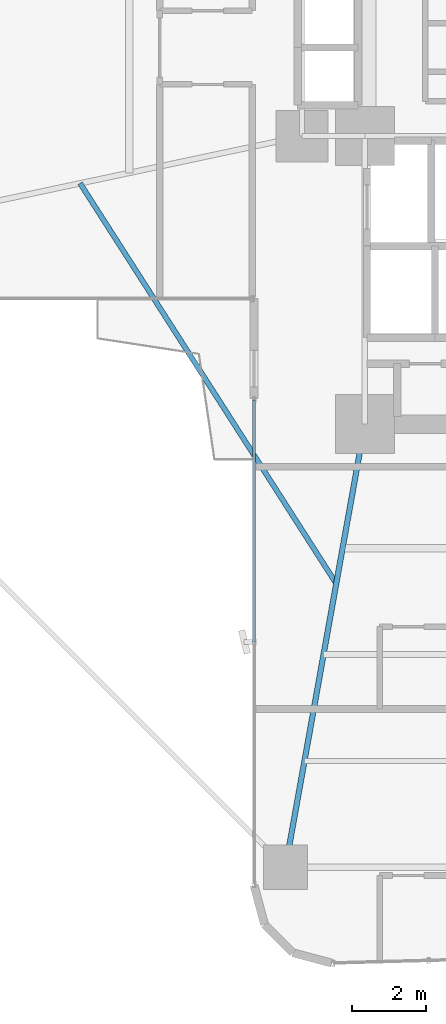
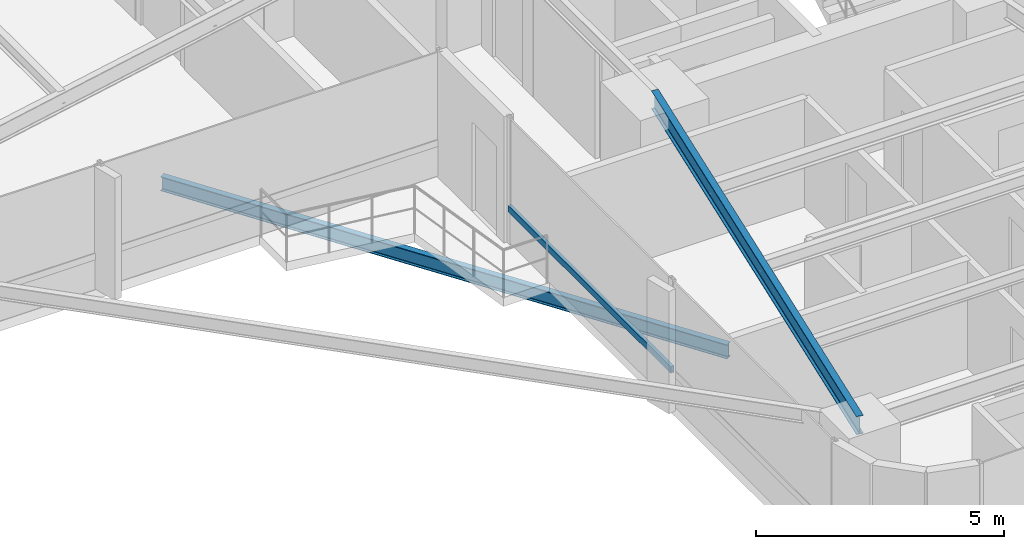
# One storey, part 3 of 25: 2 beams, 1 member, 1 element without a shape of its own.
"""IFC4 building model written with IfcOpenShell, lengths in metres."""

from ifc_helpers import new_model, si_unit, direction, frame, origin, origin_2d, place, context, subcontext, project, spatial, hollow_rectangle, i_section, extrude, source, transform, mapped, material, material_profile, profile_set, type_object, element, aggregate, save


model = new_model("IFC4")

# Units and contexts
model_context = context("Model", 3, precision=1e-05, world=origin(), true_north=direction((0.0, 1.0)))
body_context = subcontext(model_context, "Body", "Model", "MODEL_VIEW")
ifc_project = project(units=[si_unit("LENGTHUNIT", "METRE"), si_unit("AREAUNIT", "SQUARE_METRE"), si_unit("VOLUMEUNIT", "CUBIC_METRE"), si_unit("PLANEANGLEUNIT", "RADIAN"), si_unit("MASSUNIT", "GRAM", prefix="KILO")], contexts=[model_context])

# Site, building, storey
site_placement = place(None, origin())
site = spatial("IfcSite", under=ifc_project, at=site_placement, CompositionType="ELEMENT")
building_placement = place(site_placement, origin())
building = spatial("IfcBuilding", under=site, at=building_placement, Name="Sahyath Konkavel Grand Hotel", CompositionType="ELEMENT")
storey_placement = place(building_placement, frame((0.0, 0.0, 39.85009765625)))
storey = spatial("IfcBuildingStorey", under=building, at=storey_placement, Name="L10", CompositionType="ELEMENT", Elevation=39.85009765625)

# Beam
ifc_material_1 = material(Name="Steel E350", Category="steel")
ifc_material_profile_1 = material_profile(ifc_material_1, i_section(OverallWidth=0.14990234375, OverallDepth=0.449951171875, WebThickness=0.009521484375, FlangeThickness=0.017333984375, FilletRadius=0.014892578125, at=origin_2d()), Name="ISMB 450")
ifc_profile_set_1 = profile_set([ifc_material_profile_1], Name="Steel E350")
beam_type_1 = type_object("IfcBeamType", Name="BM-ISMB450", PredefinedType="BEAM", material=ifc_profile_set_1)
shared_shape_1 = source(origin(), body_context, "Body", "SweptSolid", [
    extrude(i_section(OverallWidth=0.14990234375, OverallDepth=0.449951171875, WebThickness=0.009521484375, FlangeThickness=0.017333984375, FilletRadius=0.014892578125, at=origin_2d()), origin(), (0.0, 0.0, 1.0), 12.191162109375),
])
beam_1_placement = place(storey_placement, frame((-3.800048828125, -10.199951171875, 2.885009765625), z_axis=(-0.176350650305, -0.984327409014, 0.0), x_axis=(0.984327409014, -0.176350650305, 0.0)))
element("IfcBeam", 1, at=beam_1_placement, inside=storey, type_object=beam_type_1, Name="L10 Cruciform Radial Girder SA", PredefinedType="BEAM", context=body_context, shape_type="MappedRepresentation", body=[
    mapped(shared_shape_1, transform((0.0, 0.0, 0.0), scale=1.0)),
])

# Curtain wall, member
ifc_material_2 = material(Name="Anodised Bronze Aluminium & Low-E Glazing", Category="aluminium")
curtain_wall_type = type_object("IfcCurtainWallType", Name="CW-ZONE1", PredefinedType="NOTDEFINED", material=ifc_material_2)
curtain_wall_placement = place(storey_placement, origin())
curtain_wall = element("IfcCurtainWall", 2, at=curtain_wall_placement, inside=storey, type_object=curtain_wall_type, Name="L10 Unitised Curtain Wall F24", PredefinedType="NOTDEFINED")
ifc_material_3 = material(Name="Anodised Bronze Aluminium", Category="aluminium")
ifc_material_profile_2 = material_profile(ifc_material_3, hollow_rectangle(XDim=0.080078125, YDim=0.159912109375, WallThickness=0.006103515625, at=origin_2d()), Name="RHS 160x80x6")
ifc_profile_set_2 = profile_set([ifc_material_profile_2], Name="Anodised Bronze Aluminium")
member_type = type_object("IfcMemberType", Name="CW-TRN-160", PredefinedType="USERDEFINED", material=ifc_profile_set_2)
shared_shape_2 = source(origin(), body_context, "Body", "SweptSolid", [
    extrude(hollow_rectangle(XDim=0.080078125, YDim=0.159912109375, WallThickness=0.006103515625, at=origin_2d()), origin(), (0.0, 0.0, 1.0), 6.56005859375),
])
member_placement = place(storey_placement, frame((-6.800048828125, -9.5400390625, 0.849853515625), z_axis=(0.0, -1.0, 0.0), x_axis=(1.0, 0.0, 0.0)))
member = element("IfcMember", 3, at=member_placement, type_object=member_type, Name="L10 Curtain Wall Transom F24-0-spandrel", ObjectType="TRANSOM", PredefinedType="USERDEFINED", context=body_context, shape_type="MappedRepresentation", body=[
    mapped(shared_shape_2, transform((0.0, 0.0, 0.0), scale=1.0)),
])
aggregate(curtain_wall, [member])

# Beam
ifc_material_profile_3 = material_profile(ifc_material_1, i_section(OverallWidth=0.139892578125, OverallDepth=0.35009765625, WebThickness=0.008056640625, FlangeThickness=0.01416015625, FilletRadius=0.013916015625, at=origin_2d()), Name="ISMB 350")
ifc_profile_set_3 = profile_set([ifc_material_profile_3], Name="Steel E350")
beam_type_2 = type_object("IfcBeamType", Name="BM-BALC-CANT", PredefinedType="BEAM", material=ifc_profile_set_3)
shared_shape_3 = source(origin(), body_context, "Body", "SweptSolid", [
    extrude(i_section(OverallWidth=0.139892578125, OverallDepth=0.35009765625, WebThickness=0.008056640625, FlangeThickness=0.01416015625, FilletRadius=0.013916015625, at=origin_2d()), origin(), (0.0, 0.0, 1.0), 12.871826171875),
])
beam_2_placement = place(storey_placement, frame((-11.511962890625, -3.677978515625, -0.4150390625), z_axis=(0.539003102535, -0.842303778608, 0.0), x_axis=(0.842303778608, 0.539003102535, 0.0)))
element("IfcBeam", 4, at=beam_2_placement, inside=storey, type_object=beam_type_2, Name="L10 Balcony Cantilever Support Beam SW", PredefinedType="BEAM", context=body_context, shape_type="MappedRepresentation", body=[
    mapped(shared_shape_3, transform((0.0, 0.0, 0.0), scale=1.0)),
])

save(model, "model.ifc")
